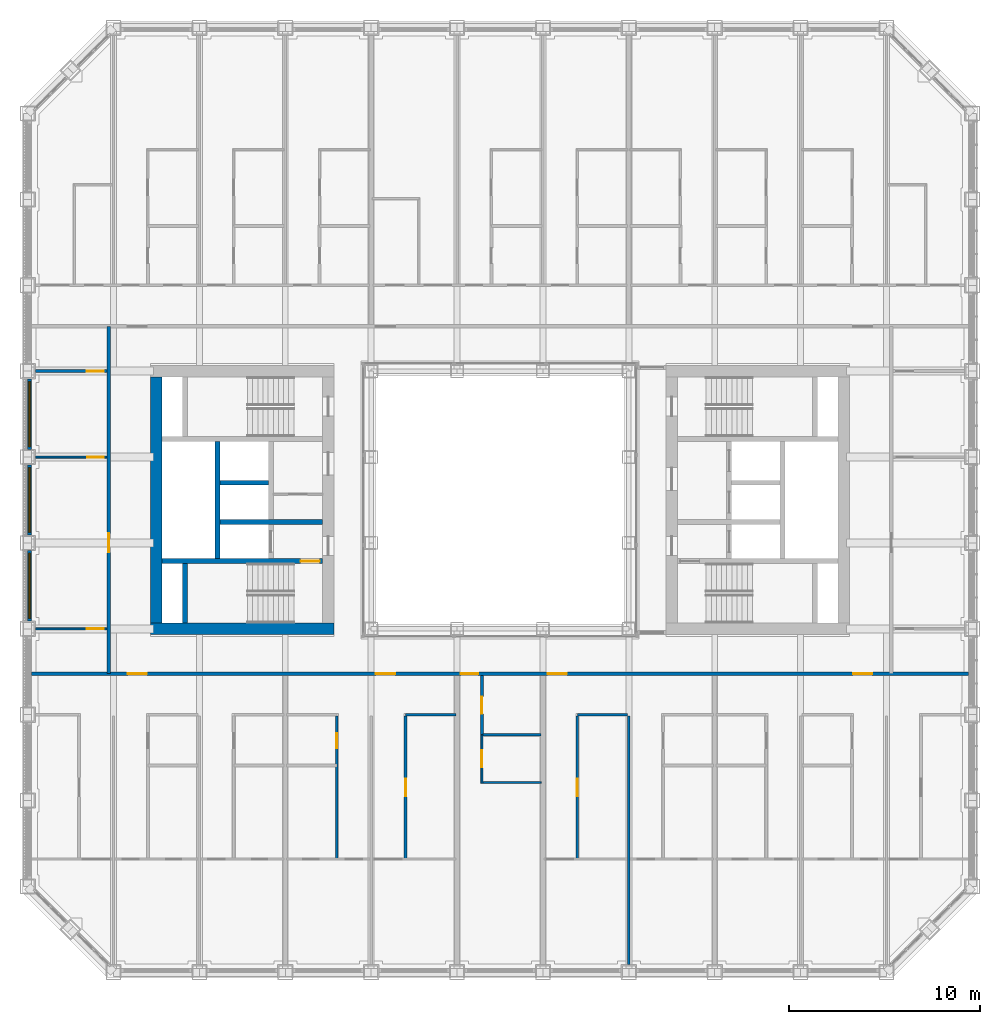
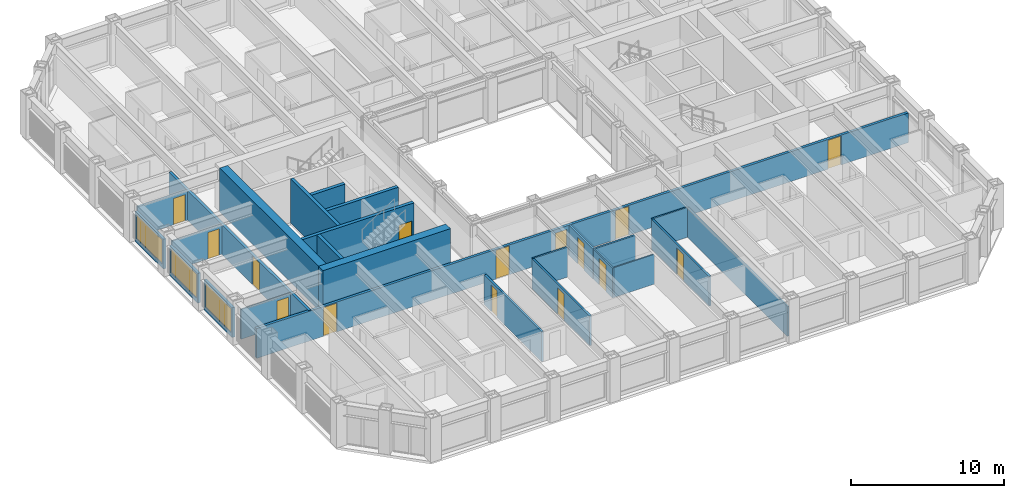
# One storey, part 10 of 21: 25 walls, 15 doors, 3 windows, 18 openings.
"""IFC4 building model written with IfcOpenShell, lengths in metres."""

from ifc_helpers import new_model, si_unit, direction, frame, frame_2d, origin, place, context, subcontext, project, spatial, rectangle, extrude, material, layer, layer_set, type_object, element, fill, save


model = new_model("IFC4")

# Units and contexts
model_context = context("Model", 3, precision=1e-05, world=origin(), true_north=direction((0.0, 1.0)))
body_context = subcontext(model_context, "Body", "Model", "MODEL_VIEW")
ifc_project = project(units=[si_unit("LENGTHUNIT", "METRE"), si_unit("AREAUNIT", "SQUARE_METRE"), si_unit("VOLUMEUNIT", "CUBIC_METRE"), si_unit("PLANEANGLEUNIT", "RADIAN"), si_unit("MASSUNIT", "GRAM", prefix="KILO")], contexts=[model_context])

# Site, building, storey
site_placement = place(None, origin())
site = spatial("IfcSite", under=ifc_project, at=site_placement, CompositionType="ELEMENT")
building_placement = place(site_placement, origin())
building = spatial("IfcBuilding", under=site, at=building_placement, Name="Msasa Ring Tower", CompositionType="ELEMENT")
storey_placement = place(building_placement, frame((0.0, 0.0, 72.0)))
storey = spatial("IfcBuildingStorey", under=building, at=storey_placement, Name="L18", CompositionType="ELEMENT", Elevation=72.0)

# Walls
ifc_material_1 = material(Name="Concrete C60/75", Category="concrete")
ifc_layer_1 = layer(ifc_material_1, 0.60009765625)
ifc_layer_set_1 = layer_set([ifc_layer_1], Name="CW1 CORE WALL 600")
wall_type_1 = type_object("IfcWallType", Name="CW1 CORE WALL 600", PredefinedType="SHEAR", material=ifc_layer_set_1)
wall_1_placement = place(storey_placement, frame((-8.699951171875, -6.75, 0.0), z_axis=(0.0, 0.0, 1.0), x_axis=(-1.0, 0.0, 0.0)))
element("IfcWall", 1, at=wall_1_placement, inside=storey, type_object=wall_type_1, Name="W core wall S L18", PredefinedType="SHEAR", context=body_context, shape_type="SweptSolid", body=[
    extrude(rectangle(XDim=9.60009765625, YDim=0.60009765625, at=frame_2d((4.800048828125, 0.0))), origin(), (0.0, 0.0, 1.0), 3.5),
])
wall_2_placement = place(storey_placement, frame((-18.0, -6.449951171875, 0.0), z_axis=(0.0, 0.0, 1.0), x_axis=(0.0, 1.0, 0.0)))
element("IfcWall", 2, at=wall_2_placement, inside=storey, type_object=wall_type_1, Name="W core wall E L18", PredefinedType="SHEAR", context=body_context, shape_type="SweptSolid", body=[
    extrude(rectangle(XDim=12.89990234375, YDim=0.60009765625, at=frame_2d((6.449951171875, 0.0))), origin(), (0.0, 0.0, 1.0), 3.5),
])

# Wall, opening, door
ifc_material_2 = material(Name="Concrete C60/75", Category="concrete")
ifc_layer_2 = layer(ifc_material_2, 0.25)
ifc_layer_set_2 = layer_set([ifc_layer_2], Name="CW4 CORE INNER WALL 250")
wall_type_2 = type_object("IfcWallType", Name="CW4 CORE INNER WALL 250", PredefinedType="SHEAR", material=ifc_layer_set_2)
wall_3_placement = place(storey_placement, frame((-9.300048828125, -3.199951171875, 0.0), z_axis=(0.0, 0.0, 1.0), x_axis=(-1.0, 0.0, 0.0)))
wall_3 = element("IfcWall", 3, at=wall_3_placement, inside=storey, type_object=wall_type_2, Name="W core wall STAIRA L18", PredefinedType="SHEAR", context=body_context, shape_type="SweptSolid", body=[
    extrude(rectangle(XDim=8.39990234375, YDim=0.25, at=frame_2d((4.199951171875, 0.0))), origin(), (0.0, 0.0, 1.0), 3.5),
])
opening_1_placement = place(wall_3_placement, frame((0.14990234375, 0.0, 0.0)))
opening_1 = element("IfcOpeningElement", 4, at=opening_1_placement, cuts=wall_3, Name="Opening RE-051", PredefinedType="OPENING", context=body_context, shape_type="SweptSolid", body=[
    extrude(rectangle(XDim=1.0, YDim=2.10009765625, at=frame_2d((0.5, 1.050048828125))), frame((0.0, 0.135009765625, 0.0), z_axis=(0.0, -1.0, 0.0), x_axis=(1.0, 0.0, 0.0)), (0.0, 0.0, 1.0), 0.27001953125),
])
ifc_material_3 = material(Name="Timber door leaf in a steel frame", Category="steel")
door_type_1 = type_object("IfcDoorType", Name="D6 STAIR DOOR 1000x2100", OperationType="SINGLE_SWING_LEFT", PredefinedType="DOOR", material=ifc_material_3)
door_1_placement = place(opening_1_placement, origin())
door_1 = element("IfcDoor", 5, at=door_1_placement, inside=storey, type_object=door_type_1, Name="Door L18-WSTA", OperationType="SINGLE_SWING_LEFT", OverallHeight=2.10009765625, OverallWidth=1.0, PredefinedType="DOOR", context=body_context, shape_type="SweptSolid", body=[
    extrude(rectangle(XDim=1.0, YDim=2.10009765625, at=frame_2d((0.5, 1.050048828125))), frame((0.0, 0.02490234375, 0.0), z_axis=(0.0, -1.0, 0.0), x_axis=(1.0, 0.0, 0.0)), (0.0, 0.0, 1.0), 0.050048828125),
])
fill(opening_1, door_1)

# Walls
wall_4_placement = place(storey_placement, frame((-16.5, -6.449951171875, 0.0), z_axis=(0.0, 0.0, 1.0), x_axis=(0.0, 1.0, 0.0)))
element("IfcWall", 6, at=wall_4_placement, inside=storey, type_object=wall_type_2, Name="W core wall RISERA L18", PredefinedType="SHEAR", context=body_context, shape_type="SweptSolid", body=[
    extrude(rectangle(XDim=3.125, YDim=0.25, at=frame_2d((1.5625, 0.0))), origin(), (0.0, 0.0, 1.0), 3.5),
])
wall_5_placement = place(storey_placement, frame((-9.300048828125, -1.14990234375, 0.0), z_axis=(0.0, 0.0, 1.0), x_axis=(-1.0, 0.0, 0.0)))
element("IfcWall", 7, at=wall_5_placement, inside=storey, type_object=wall_type_2, Name="W core wall FFL L18", PredefinedType="SHEAR", context=body_context, shape_type="SweptSolid", body=[
    extrude(rectangle(XDim=5.375, YDim=0.25, at=frame_2d((2.6875, 0.0))), origin(), (0.0, 0.0, 1.0), 3.5),
])
wall_6_placement = place(storey_placement, frame((-14.800048828125, -3.074951171875, 0.0), z_axis=(0.0, 0.0, 1.0), x_axis=(0.0, 1.0, 0.0)))
element("IfcWall", 8, at=wall_6_placement, inside=storey, type_object=wall_type_2, Name="W core wall SHAFT L18", PredefinedType="SHEAR", context=body_context, shape_type="SweptSolid", body=[
    extrude(rectangle(XDim=6.14990234375, YDim=0.25, at=frame_2d((3.074951171875, 0.0))), origin(), (0.0, 0.0, 1.0), 3.5),
])
wall_7_placement = place(storey_placement, frame((-12.125, 0.89990234375, 0.0), z_axis=(0.0, 0.0, 1.0), x_axis=(-1.0, 0.0, 0.0)))
element("IfcWall", 9, at=wall_7_placement, inside=storey, type_object=wall_type_2, Name="W core wall LIFT1 L18", PredefinedType="SHEAR", context=body_context, shape_type="SweptSolid", body=[
    extrude(rectangle(XDim=2.550048828125, YDim=0.25, at=frame_2d((1.27490234375, 0.0))), origin(), (0.0, 0.0, 1.0), 3.5),
])

# Wall, opening, window
ifc_material_4 = material(Name="Terracotta rainscreen on blockwork", Category="masonry")
ifc_layer_3 = layer(ifc_material_4, 0.199951171875)
ifc_layer_set_3 = layer_set([ifc_layer_3], Name="FW1 TERRACOTTA-LINED INFILL BAY WALL 200")
wall_type_3 = type_object("IfcWallType", Name="FW1 TERRACOTTA-LINED INFILL BAY WALL 200", PredefinedType="SOLIDWALL", material=ifc_layer_set_3)
wall_8_placement = place(storey_placement, frame((-24.64990234375, -6.344970703125, 0.0), z_axis=(0.0, 0.0, 1.0), x_axis=(0.0, 1.0, 0.0)))
wall_8 = element("IfcWall", 10, at=wall_8_placement, inside=storey, type_object=wall_type_3, Name="Infill bay wall W L18 36", PredefinedType="SOLIDWALL", context=body_context, shape_type="SweptSolid", body=[
    extrude(rectangle(XDim=3.68994140625, YDim=0.199951171875, at=frame_2d((1.844970703125, 0.0))), origin(), (0.0, 0.0, 1.0), 2.37890625),
])
opening_2_placement = place(wall_8_placement, frame((0.14501953125, 0.0, 0.300048828125)))
opening_2 = element("IfcOpeningElement", 11, at=opening_2_placement, cuts=wall_8, Name="Opening WN1", PredefinedType="OPENING", context=body_context, shape_type="SweptSolid", body=[
    extrude(rectangle(XDim=3.39990234375, YDim=1.928955078125, at=frame_2d((1.699951171875, 0.96435546875))), frame((0.0, 0.10986328125, 0.0), z_axis=(0.0, -1.0, 0.0), x_axis=(1.0, 0.0, 0.0)), (0.0, 0.0, 1.0), 0.219970703125),
])
ifc_material_5 = material(Name="Aluminium frame with clear glass", Category="aluminium")
window_type = type_object("IfcWindowType", Name="WN1 RESIDENCE WINDOW 3400x1929", PartitioningType="SINGLE_PANEL", PredefinedType="WINDOW", material=ifc_material_5)
window_1_placement = place(opening_2_placement, origin())
window_1 = element("IfcWindow", 12, at=window_1_placement, inside=storey, type_object=window_type, Name="Window W L18 36", OverallHeight=1.928955078125, OverallWidth=3.39990234375, PartitioningType="SINGLE_PANEL", PredefinedType="WINDOW", context=body_context, shape_type="SweptSolid", body=[
    extrude(rectangle(XDim=3.39990234375, YDim=1.928955078125, at=frame_2d((1.699951171875, 0.96435546875))), frame((0.0, 0.030029296875, 0.0), z_axis=(0.0, -1.0, 0.0), x_axis=(1.0, 0.0, 0.0)), (0.0, 0.0, 1.0), 0.06005859375),
])
fill(opening_2, window_1)

wall_9_placement = place(storey_placement, frame((-24.64990234375, -1.844970703125, 0.0), z_axis=(0.0, 0.0, 1.0), x_axis=(0.0, 1.0, 0.0)))
wall_9 = element("IfcWall", 13, at=wall_9_placement, inside=storey, type_object=wall_type_3, Name="Infill bay wall W L18 37", PredefinedType="SOLIDWALL", context=body_context, shape_type="SweptSolid", body=[
    extrude(rectangle(XDim=3.68994140625, YDim=0.199951171875, at=frame_2d((1.844970703125, 0.0))), origin(), (0.0, 0.0, 1.0), 2.37890625),
])
opening_3_placement = place(wall_9_placement, frame((0.14501953125, 0.0, 0.300048828125)))
opening_3 = element("IfcOpeningElement", 14, at=opening_3_placement, cuts=wall_9, Name="Opening WN1", PredefinedType="OPENING", context=body_context, shape_type="SweptSolid", body=[
    extrude(rectangle(XDim=3.39990234375, YDim=1.928955078125, at=frame_2d((1.699951171875, 0.96435546875))), frame((0.0, 0.10986328125, 0.0), z_axis=(0.0, -1.0, 0.0), x_axis=(1.0, 0.0, 0.0)), (0.0, 0.0, 1.0), 0.219970703125),
])
window_2_placement = place(opening_3_placement, origin())
window_2 = element("IfcWindow", 15, at=window_2_placement, inside=storey, type_object=window_type, Name="Window W L18 37", OverallHeight=1.928955078125, OverallWidth=3.39990234375, PartitioningType="SINGLE_PANEL", PredefinedType="WINDOW", context=body_context, shape_type="SweptSolid", body=[
    extrude(rectangle(XDim=3.39990234375, YDim=1.928955078125, at=frame_2d((1.699951171875, 0.96435546875))), frame((0.0, 0.030029296875, 0.0), z_axis=(0.0, -1.0, 0.0), x_axis=(1.0, 0.0, 0.0)), (0.0, 0.0, 1.0), 0.06005859375),
])
fill(opening_3, window_2)

wall_10_placement = place(storey_placement, frame((-24.64990234375, 2.655029296875, 0.0), z_axis=(0.0, 0.0, 1.0), x_axis=(0.0, 1.0, 0.0)))
wall_10 = element("IfcWall", 16, at=wall_10_placement, inside=storey, type_object=wall_type_3, Name="Infill bay wall W L18 38", PredefinedType="SOLIDWALL", context=body_context, shape_type="SweptSolid", body=[
    extrude(rectangle(XDim=3.68994140625, YDim=0.199951171875, at=frame_2d((1.844970703125, 0.0))), origin(), (0.0, 0.0, 1.0), 2.37890625),
])
opening_4_placement = place(wall_10_placement, frame((0.14501953125, 0.0, 0.300048828125)))
opening_4 = element("IfcOpeningElement", 17, at=opening_4_placement, cuts=wall_10, Name="Opening WN1", PredefinedType="OPENING", context=body_context, shape_type="SweptSolid", body=[
    extrude(rectangle(XDim=3.39990234375, YDim=1.928955078125, at=frame_2d((1.699951171875, 0.96435546875))), frame((0.0, 0.10986328125, 0.0), z_axis=(0.0, -1.0, 0.0), x_axis=(1.0, 0.0, 0.0)), (0.0, 0.0, 1.0), 0.219970703125),
])
window_3_placement = place(opening_4_placement, origin())
window_3 = element("IfcWindow", 18, at=window_3_placement, inside=storey, type_object=window_type, Name="Window W L18 38", OverallHeight=1.928955078125, OverallWidth=3.39990234375, PartitioningType="SINGLE_PANEL", PredefinedType="WINDOW", context=body_context, shape_type="SweptSolid", body=[
    extrude(rectangle(XDim=3.39990234375, YDim=1.928955078125, at=frame_2d((1.699951171875, 0.96435546875))), frame((0.0, 0.030029296875, 0.0), z_axis=(0.0, -1.0, 0.0), x_axis=(1.0, 0.0, 0.0)), (0.0, 0.0, 1.0), 0.06005859375),
])
fill(opening_4, window_3)

# Wall, openings, doors
ifc_material_6 = material(Name="Concrete blockwork", Category="masonry")
ifc_layer_4 = layer(ifc_material_6, 0.199951171875)
ifc_layer_set_4 = layer_set([ifc_layer_4], Name="PT1 CORRIDOR WALL 200")
wall_type_4 = type_object("IfcWallType", Name="PT1 CORRIDOR WALL 200", PredefinedType="PARTITIONING", material=ifc_layer_set_4)
wall_11_placement = place(storey_placement, frame((-24.550048828125, -9.10009765625, 0.0), z_axis=(0.0, 0.0, 1.0), x_axis=(1.0, 0.0, 0.0)))
wall_11 = element("IfcWall", 19, at=wall_11_placement, inside=storey, type_object=wall_type_4, Name="Corridor wall L18-CORRS0", PredefinedType="PARTITIONING", context=body_context, shape_type="SweptSolid", body=[
    extrude(rectangle(XDim=49.10009765625, YDim=0.199951171875, at=frame_2d((24.550048828125, 0.0))), origin(), (0.0, 0.0, 1.0), 2.373291015625),
])
opening_5_placement = place(wall_11_placement, frame((5.050048828125, 0.0, 0.0)))
opening_5 = element("IfcOpeningElement", 20, at=opening_5_placement, cuts=wall_11, Name="Opening RE-056", PredefinedType="OPENING", context=body_context, shape_type="SweptSolid", body=[
    extrude(rectangle(XDim=1.0, YDim=2.300048828125, at=frame_2d((0.5, 1.14990234375))), frame((0.0, 0.10986328125, 0.0), z_axis=(0.0, -1.0, 0.0), x_axis=(1.0, 0.0, 0.0)), (0.0, 0.0, 1.0), 0.219970703125),
])
opening_6_placement = place(wall_11_placement, frame((18.050048828125, 0.0, 0.0)))
opening_6 = element("IfcOpeningElement", 21, at=opening_6_placement, cuts=wall_11, Name="Opening RE-057", PredefinedType="OPENING", context=body_context, shape_type="SweptSolid", body=[
    extrude(rectangle(XDim=1.0, YDim=2.300048828125, at=frame_2d((0.5, 1.14990234375))), frame((0.0, 0.10986328125, 0.0), z_axis=(0.0, -1.0, 0.0), x_axis=(1.0, 0.0, 0.0)), (0.0, 0.0, 1.0), 0.219970703125),
])
opening_7_placement = place(wall_11_placement, frame((22.5, 0.0, 0.0)))
opening_7 = element("IfcOpeningElement", 22, at=opening_7_placement, cuts=wall_11, Name="Opening RE-058", PredefinedType="OPENING", context=body_context, shape_type="SweptSolid", body=[
    extrude(rectangle(XDim=0.89990234375, YDim=2.10009765625, at=frame_2d((0.449951171875, 1.050048828125))), frame((0.0, 0.10986328125, 0.0), z_axis=(0.0, -1.0, 0.0), x_axis=(1.0, 0.0, 0.0)), (0.0, 0.0, 1.0), 0.219970703125),
])
opening_8_placement = place(wall_11_placement, frame((27.050048828125, 0.0, 0.0)))
opening_8 = element("IfcOpeningElement", 23, at=opening_8_placement, cuts=wall_11, Name="Opening RE-059", PredefinedType="OPENING", context=body_context, shape_type="SweptSolid", body=[
    extrude(rectangle(XDim=1.0, YDim=2.300048828125, at=frame_2d((0.5, 1.14990234375))), frame((0.0, 0.10986328125, 0.0), z_axis=(0.0, -1.0, 0.0), x_axis=(1.0, 0.0, 0.0)), (0.0, 0.0, 1.0), 0.219970703125),
])
opening_9_placement = place(wall_11_placement, frame((43.050048828125, 0.0, 0.0)))
opening_9 = element("IfcOpeningElement", 24, at=opening_9_placement, cuts=wall_11, Name="Opening RE-060", PredefinedType="OPENING", context=body_context, shape_type="SweptSolid", body=[
    extrude(rectangle(XDim=1.0, YDim=2.300048828125, at=frame_2d((0.5, 1.14990234375))), frame((0.0, 0.10986328125, 0.0), z_axis=(0.0, -1.0, 0.0), x_axis=(1.0, 0.0, 0.0)), (0.0, 0.0, 1.0), 0.219970703125),
])
ifc_material_7 = material(Name="Timber door leaf in a steel frame", Category="steel")
door_type_2 = type_object("IfcDoorType", Name="D16 UPPER RESIDENCE ENTRANCE DOOR 1000x2300", OperationType="SINGLE_SWING_LEFT", PredefinedType="DOOR", material=ifc_material_7)
door_2_placement = place(opening_5_placement, origin())
door_2 = element("IfcDoor", 25, at=door_2_placement, inside=storey, type_object=door_type_2, Name="Door L18-US00", OperationType="SINGLE_SWING_LEFT", OverallHeight=2.300048828125, OverallWidth=1.0, PredefinedType="DOOR", context=body_context, shape_type="SweptSolid", body=[
    extrude(rectangle(XDim=1.0, YDim=2.300048828125, at=frame_2d((0.5, 1.14990234375))), frame((0.0, 0.02490234375, 0.0), z_axis=(0.0, -1.0, 0.0), x_axis=(1.0, 0.0, 0.0)), (0.0, 0.0, 1.0), 0.050048828125),
])
fill(opening_5, door_2)
door_3_placement = place(opening_6_placement, origin())
door_3 = element("IfcDoor", 26, at=door_3_placement, inside=storey, type_object=door_type_2, Name="Door L18-US01", OperationType="SINGLE_SWING_LEFT", OverallHeight=2.300048828125, OverallWidth=1.0, PredefinedType="DOOR", context=body_context, shape_type="SweptSolid", body=[
    extrude(rectangle(XDim=1.0, YDim=2.300048828125, at=frame_2d((0.5, 1.14990234375))), frame((0.0, 0.02490234375, 0.0), z_axis=(0.0, -1.0, 0.0), x_axis=(1.0, 0.0, 0.0)), (0.0, 0.0, 1.0), 0.050048828125),
])
fill(opening_6, door_3)
door_4_placement = place(opening_8_placement, origin())
door_4 = element("IfcDoor", 27, at=door_4_placement, inside=storey, type_object=door_type_2, Name="Door L18-US03", OperationType="SINGLE_SWING_RIGHT", OverallHeight=2.300048828125, OverallWidth=1.0, PredefinedType="DOOR", context=body_context, shape_type="SweptSolid", body=[
    extrude(rectangle(XDim=1.0, YDim=2.300048828125, at=frame_2d((0.5, 1.14990234375))), frame((0.0, 0.02490234375, 0.0), z_axis=(0.0, -1.0, 0.0), x_axis=(1.0, 0.0, 0.0)), (0.0, 0.0, 1.0), 0.050048828125),
])
fill(opening_8, door_4)
door_5_placement = place(opening_9_placement, origin())
door_5 = element("IfcDoor", 28, at=door_5_placement, inside=storey, type_object=door_type_2, Name="Door L18-US04", OperationType="SINGLE_SWING_RIGHT", OverallHeight=2.300048828125, OverallWidth=1.0, PredefinedType="DOOR", context=body_context, shape_type="SweptSolid", body=[
    extrude(rectangle(XDim=1.0, YDim=2.300048828125, at=frame_2d((0.5, 1.14990234375))), frame((0.0, 0.02490234375, 0.0), z_axis=(0.0, -1.0, 0.0), x_axis=(1.0, 0.0, 0.0)), (0.0, 0.0, 1.0), 0.050048828125),
])
fill(opening_9, door_5)
ifc_material_8 = material(Name="Timber door leaf in a steel frame", Category="steel")
door_type_3 = type_object("IfcDoorType", Name="D2 ENTRANCE DOOR 900x2100", OperationType="SINGLE_SWING_LEFT", PredefinedType="DOOR", material=ifc_material_8)
door_6_placement = place(opening_7_placement, origin())
door_6 = element("IfcDoor", 29, at=door_6_placement, inside=storey, type_object=door_type_3, Name="Door L18-US02", OperationType="SINGLE_SWING_LEFT", OverallHeight=2.10009765625, OverallWidth=0.89990234375, PredefinedType="DOOR", context=body_context, shape_type="SweptSolid", body=[
    extrude(rectangle(XDim=0.89990234375, YDim=2.10009765625, at=frame_2d((0.449951171875, 1.050048828125))), frame((0.0, 0.02490234375, 0.0), z_axis=(0.0, -1.0, 0.0), x_axis=(1.0, 0.0, 0.0)), (0.0, 0.0, 1.0), 0.050048828125),
])
fill(opening_7, door_6)

# Wall, opening, door
wall_12_placement = place(storey_placement, frame((-20.5, -9.10009765625, 0.0), z_axis=(0.0, 0.0, 1.0), x_axis=(0.0, 1.0, 0.0)))
wall_12 = element("IfcWall", 30, at=wall_12_placement, inside=storey, type_object=wall_type_4, Name="Corridor wall L18-STRW", PredefinedType="PARTITIONING", context=body_context, shape_type="SweptSolid", body=[
    extrude(rectangle(XDim=18.2001953125, YDim=0.199951171875, at=frame_2d((9.10009765625, 0.0))), origin(), (0.0, 0.0, 1.0), 2.373291015625),
])
opening_10_placement = place(wall_12_placement, frame((6.35009765625, 0.0, 0.0)))
opening_10 = element("IfcOpeningElement", 31, at=opening_10_placement, cuts=wall_12, Name="Opening RE-047", PredefinedType="OPENING", context=body_context, shape_type="SweptSolid", body=[
    extrude(rectangle(XDim=1.0, YDim=2.300048828125, at=frame_2d((0.5, 1.14990234375))), frame((0.0, 0.10986328125, 0.0), z_axis=(0.0, -1.0, 0.0), x_axis=(1.0, 0.0, 0.0)), (0.0, 0.0, 1.0), 0.219970703125),
])
door_7_placement = place(opening_10_placement, origin())
door_7 = element("IfcDoor", 32, at=door_7_placement, inside=storey, type_object=door_type_2, Name="Door L18-STW", OperationType="SINGLE_SWING_LEFT", OverallHeight=2.300048828125, OverallWidth=1.0, PredefinedType="DOOR", context=body_context, shape_type="SweptSolid", body=[
    extrude(rectangle(XDim=1.0, YDim=2.300048828125, at=frame_2d((0.5, 1.14990234375))), frame((0.0, 0.02490234375, 0.0), z_axis=(0.0, -1.0, 0.0), x_axis=(1.0, 0.0, 0.0)), (0.0, 0.0, 1.0), 0.050048828125),
])
fill(opening_10, door_7)

# Wall
ifc_material_9 = material(Name="Gypsum board on steel studs", Category="steel")
ifc_layer_5 = layer(ifc_material_9, 0.10009765625)
ifc_layer_set_5 = layer_set([ifc_layer_5], Name="PT2 STUD PARTITION 100")
wall_type_5 = type_object("IfcWallType", Name="PT2 STUD PARTITION 100", PredefinedType="PARTITIONING", material=ifc_layer_set_5)
wall_13_placement = place(storey_placement, frame((-0.89990234375, -14.800048828125, 0.0), z_axis=(0.0, 0.0, 1.0), x_axis=(1.0, 0.0, 0.0)))
element("IfcWall", 33, at=wall_13_placement, inside=storey, type_object=wall_type_5, Name="Partition L18-US02KY", PredefinedType="PARTITIONING", context=body_context, shape_type="SweptSolid", body=[
    extrude(rectangle(XDim=3.0498046875, YDim=0.10009765625, at=frame_2d((1.52490234375, 0.0))), origin(), (0.0, 0.0, 1.0), 2.373291015625),
])

# Wall, opening, door
wall_14_placement = place(storey_placement, frame((-0.949951171875, -14.85009765625, 0.0), z_axis=(0.0, 0.0, 1.0), x_axis=(0.0, 1.0, 0.0)))
wall_14 = element("IfcWall", 34, at=wall_14_placement, inside=storey, type_object=wall_type_5, Name="Partition L18-US02KX", PredefinedType="PARTITIONING", context=body_context, shape_type="SweptSolid", body=[
    extrude(rectangle(XDim=2.550048828125, YDim=0.10009765625, at=frame_2d((1.27490234375, 0.0))), origin(), (0.0, 0.0, 1.0), 2.373291015625),
])
opening_11_placement = place(wall_14_placement, frame((0.840087890625, 0.0, 0.0)))
opening_11 = element("IfcOpeningElement", 35, at=opening_11_placement, cuts=wall_14, Name="Opening RE-068", PredefinedType="OPENING", context=body_context, shape_type="SweptSolid", body=[
    extrude(rectangle(XDim=0.89990234375, YDim=2.10009765625, at=frame_2d((0.449951171875, 1.050048828125))), frame((0.0, 0.06005859375, 0.0), z_axis=(0.0, -1.0, 0.0), x_axis=(1.0, 0.0, 0.0)), (0.0, 0.0, 1.0), 0.1201171875),
])
ifc_material_10 = material(Name="Timber door leaf in a steel frame", Category="steel")
door_type_4 = type_object("IfcDoorType", Name="D22 INTERNAL HALL DOOR 900x2100", OperationType="SINGLE_SWING_LEFT", PredefinedType="DOOR", material=ifc_material_10)
door_8_placement = place(opening_11_placement, origin())
door_8 = element("IfcDoor", 36, at=door_8_placement, inside=storey, type_object=door_type_4, Name="Door L18-US02K", OperationType="SINGLE_SWING_LEFT", OverallHeight=2.10009765625, OverallWidth=0.89990234375, PredefinedType="DOOR", context=body_context, shape_type="SweptSolid", body=[
    extrude(rectangle(XDim=0.89990234375, YDim=2.10009765625, at=frame_2d((0.449951171875, 1.050048828125))), frame((0.0, 0.02490234375, 0.0), z_axis=(0.0, -1.0, 0.0), x_axis=(1.0, 0.0, 0.0)), (0.0, 0.0, 1.0), 0.050048828125),
])
fill(opening_11, door_8)

wall_15_placement = place(storey_placement, frame((-24.35009765625, -6.75, 0.0), z_axis=(0.0, 0.0, 1.0), x_axis=(1.0, 0.0, 0.0)))
wall_15 = element("IfcWall", 37, at=wall_15_placement, inside=storey, type_object=wall_type_5, Name="Partition L18-STWKY", PredefinedType="PARTITIONING", context=body_context, shape_type="SweptSolid", body=[
    extrude(rectangle(XDim=3.75, YDim=0.10009765625, at=frame_2d((1.875, 0.0))), origin(), (0.0, 0.0, 1.0), 2.373291015625),
])
opening_12_placement = place(wall_15_placement, frame((2.699951171875, 0.0, 0.0)))
opening_12 = element("IfcOpeningElement", 38, at=opening_12_placement, cuts=wall_15, Name="Opening RE-053", PredefinedType="OPENING", context=body_context, shape_type="SweptSolid", body=[
    extrude(rectangle(XDim=0.89990234375, YDim=2.10009765625, at=frame_2d((0.449951171875, 1.050048828125))), frame((0.0, 0.06005859375, 0.0), z_axis=(0.0, -1.0, 0.0), x_axis=(1.0, 0.0, 0.0)), (0.0, 0.0, 1.0), 0.1201171875),
])
door_9_placement = place(opening_12_placement, origin())
door_9 = element("IfcDoor", 39, at=door_9_placement, inside=storey, type_object=door_type_4, Name="Door L18-STWK", OperationType="SINGLE_SWING_RIGHT", OverallHeight=2.10009765625, OverallWidth=0.89990234375, PredefinedType="DOOR", context=body_context, shape_type="SweptSolid", body=[
    extrude(rectangle(XDim=0.89990234375, YDim=2.10009765625, at=frame_2d((0.449951171875, 1.050048828125))), frame((0.0, 0.02490234375, 0.0), z_axis=(0.0, -1.0, 0.0), x_axis=(1.0, 0.0, 0.0)), (0.0, 0.0, 1.0), 0.050048828125),
])
fill(opening_12, door_9)

wall_16_placement = place(storey_placement, frame((-24.35009765625, 2.25, 0.0), z_axis=(0.0, 0.0, 1.0), x_axis=(1.0, 0.0, 0.0)))
wall_16 = element("IfcWall", 40, at=wall_16_placement, inside=storey, type_object=wall_type_5, Name="Partition L18-STWRY", PredefinedType="PARTITIONING", context=body_context, shape_type="SweptSolid", body=[
    extrude(rectangle(XDim=3.75, YDim=0.10009765625, at=frame_2d((1.875, 0.0))), origin(), (0.0, 0.0, 1.0), 2.373291015625),
])
opening_13_placement = place(wall_16_placement, frame((2.72509765625, 0.0, 0.0)))
opening_13 = element("IfcOpeningElement", 41, at=opening_13_placement, cuts=wall_16, Name="Opening RE-042", PredefinedType="OPENING", context=body_context, shape_type="SweptSolid", body=[
    extrude(rectangle(XDim=0.85009765625, YDim=2.10009765625, at=frame_2d((0.425048828125, 1.050048828125))), frame((0.0, 0.06005859375, 0.0), z_axis=(0.0, -1.0, 0.0), x_axis=(1.0, 0.0, 0.0)), (0.0, 0.0, 1.0), 0.1201171875),
])
ifc_material_11 = material(Name="Timber door leaf in a steel frame", Category="steel")
door_type_5 = type_object("IfcDoorType", Name="D14 BEDROOM DOOR 850x2100", OperationType="SINGLE_SWING_LEFT", PredefinedType="DOOR", material=ifc_material_11)
door_10_placement = place(opening_13_placement, origin())
door_10 = element("IfcDoor", 42, at=door_10_placement, inside=storey, type_object=door_type_5, Name="Door L18-STWR", OperationType="SINGLE_SWING_RIGHT", OverallHeight=2.10009765625, OverallWidth=0.85009765625, PredefinedType="DOOR", context=body_context, shape_type="SweptSolid", body=[
    extrude(rectangle(XDim=0.85009765625, YDim=2.10009765625, at=frame_2d((0.425048828125, 1.050048828125))), frame((0.0, 0.02490234375, 0.0), z_axis=(0.0, -1.0, 0.0), x_axis=(1.0, 0.0, 0.0)), (0.0, 0.0, 1.0), 0.050048828125),
])
fill(opening_13, door_10)

ifc_material_12 = material(Name="Moisture-resistant board on steel studs with a concealed cistern and pipe void, tiled", Category="steel")
ifc_layer_6 = layer(ifc_material_12, 0.14990234375)
ifc_layer_set_6 = layer_set([ifc_layer_6], Name="PT4 BATHROOM WET WALL 150")
wall_type_6 = type_object("IfcWallType", Name="PT4 BATHROOM WET WALL 150", PredefinedType="PARTITIONING", material=ifc_layer_set_6)
wall_17_placement = place(storey_placement, frame((-4.949951171875, -18.8125, 0.0), z_axis=(0.0, 0.0, 1.0), x_axis=(0.0, 1.0, 0.0)))
wall_17 = element("IfcWall", 43, at=wall_17_placement, inside=storey, type_object=wall_type_6, Name="Partition L18-US01SX0", PredefinedType="PARTITIONING", context=body_context, shape_type="SweptSolid", body=[
    extrude(rectangle(XDim=7.5, YDim=0.14990234375, at=frame_2d((3.75, 0.0))), origin(), (0.0, 0.0, 1.0), 2.373291015625),
])
opening_14_placement = place(wall_17_placement, frame((3.300048828125, 0.0, 0.0)))
opening_14 = element("IfcOpeningElement", 44, at=opening_14_placement, cuts=wall_17, Name="Opening RE-070", PredefinedType="OPENING", context=body_context, shape_type="SweptSolid", body=[
    extrude(rectangle(XDim=0.89990234375, YDim=2.10009765625, at=frame_2d((0.449951171875, 1.050048828125))), frame((0.0, 0.0849609375, 0.0), z_axis=(0.0, -1.0, 0.0), x_axis=(1.0, 0.0, 0.0)), (0.0, 0.0, 1.0), 0.169921875),
])
door_11_placement = place(opening_14_placement, origin())
door_11 = element("IfcDoor", 45, at=door_11_placement, inside=storey, type_object=door_type_4, Name="Door L18-US01K", OperationType="SINGLE_SWING_LEFT", OverallHeight=2.10009765625, OverallWidth=0.89990234375, PredefinedType="DOOR", context=body_context, shape_type="SweptSolid", body=[
    extrude(rectangle(XDim=0.89990234375, YDim=2.10009765625, at=frame_2d((0.449951171875, 1.050048828125))), frame((0.0, 0.02490234375, 0.0), z_axis=(0.0, -1.0, 0.0), x_axis=(1.0, 0.0, 0.0)), (0.0, 0.0, 1.0), 0.050048828125),
])
fill(opening_14, door_11)

wall_18_placement = place(storey_placement, frame((-8.550048828125, -18.8125, 0.0), z_axis=(0.0, 0.0, 1.0), x_axis=(0.0, 1.0, 0.0)))
wall_18 = element("IfcWall", 46, at=wall_18_placement, inside=storey, type_object=wall_type_6, Name="Partition L18-US01SX1", PredefinedType="PARTITIONING", context=body_context, shape_type="SweptSolid", body=[
    extrude(rectangle(XDim=7.5, YDim=0.14990234375, at=frame_2d((3.75, 0.0))), origin(), (0.0, 0.0, 1.0), 2.373291015625),
])
opening_15_placement = place(wall_18_placement, frame((5.800048828125, 0.0, 0.0)))
opening_15 = element("IfcOpeningElement", 47, at=opening_15_placement, cuts=wall_18, Name="Opening RE-064", PredefinedType="OPENING", context=body_context, shape_type="SweptSolid", body=[
    extrude(rectangle(XDim=0.800048828125, YDim=2.10009765625, at=frame_2d((0.39990234375, 1.050048828125))), frame((0.0, 0.0849609375, 0.0), z_axis=(0.0, -1.0, 0.0), x_axis=(1.0, 0.0, 0.0)), (0.0, 0.0, 1.0), 0.169921875),
])
ifc_material_13 = material(Name="Timber door leaf in a steel frame", Category="steel")
door_type_6 = type_object("IfcDoorType", Name="D21 POCKET SLIDING BATHROOM DOOR 800x2100", OperationType="SINGLE_SWING_LEFT", PredefinedType="DOOR", material=ifc_material_13)
door_12_placement = place(opening_15_placement, origin())
door_12 = element("IfcDoor", 48, at=door_12_placement, inside=storey, type_object=door_type_6, Name="Door L18-US01B1", OperationType="SINGLE_SWING_RIGHT", OverallHeight=2.10009765625, OverallWidth=0.800048828125, PredefinedType="DOOR", context=body_context, shape_type="SweptSolid", body=[
    extrude(rectangle(XDim=0.800048828125, YDim=2.10009765625, at=frame_2d((0.39990234375, 1.050048828125))), frame((0.0, 0.02490234375, 0.0), z_axis=(0.0, -1.0, 0.0), x_axis=(1.0, 0.0, 0.0)), (0.0, 0.0, 1.0), 0.050048828125),
])
fill(opening_15, door_12)

wall_19_placement = place(storey_placement, frame((-0.949951171875, -12.35009765625, 0.0), z_axis=(0.0, 0.0, 1.0), x_axis=(0.0, 1.0, 0.0)))
wall_19 = element("IfcWall", 49, at=wall_19_placement, inside=storey, type_object=wall_type_6, Name="Partition L18-US02BX", PredefinedType="PARTITIONING", context=body_context, shape_type="SweptSolid", body=[
    extrude(rectangle(XDim=3.150146484375, YDim=0.14990234375, at=frame_2d((1.5751953125, 0.0))), origin(), (0.0, 0.0, 1.0), 2.373291015625),
])
opening_16_placement = place(wall_19_placement, frame((1.14990234375, 0.0, 0.0)))
opening_16 = element("IfcOpeningElement", 50, at=opening_16_placement, cuts=wall_19, Name="Opening RE-061", PredefinedType="OPENING", context=body_context, shape_type="SweptSolid", body=[
    extrude(rectangle(XDim=0.89990234375, YDim=2.10009765625, at=frame_2d((0.449951171875, 1.050048828125))), frame((0.0, 0.0849609375, 0.0), z_axis=(0.0, -1.0, 0.0), x_axis=(1.0, 0.0, 0.0)), (0.0, 0.0, 1.0), 0.169921875),
])
ifc_material_14 = material(Name="Timber door leaf in a steel frame", Category="steel")
door_type_7 = type_object("IfcDoorType", Name="D3 BATHROOM DOOR 900x2100", OperationType="SINGLE_SWING_LEFT", PredefinedType="DOOR", material=ifc_material_14)
door_13_placement = place(opening_16_placement, origin())
door_13 = element("IfcDoor", 51, at=door_13_placement, inside=storey, type_object=door_type_7, Name="Door L18-US02B", OperationType="SINGLE_SWING_LEFT", OverallHeight=2.10009765625, OverallWidth=0.89990234375, PredefinedType="DOOR", context=body_context, shape_type="SweptSolid", body=[
    extrude(rectangle(XDim=0.89990234375, YDim=2.10009765625, at=frame_2d((0.449951171875, 1.050048828125))), frame((0.0, 0.02490234375, 0.0), z_axis=(0.0, -1.0, 0.0), x_axis=(1.0, 0.0, 0.0)), (0.0, 0.0, 1.0), 0.050048828125),
])
fill(opening_16, door_13)

# Wall
wall_20_placement = place(storey_placement, frame((-0.89990234375, -12.300048828125, 0.0), z_axis=(0.0, 0.0, 1.0), x_axis=(1.0, 0.0, 0.0)))
element("IfcWall", 52, at=wall_20_placement, inside=storey, type_object=wall_type_6, Name="Partition L18-US02BY", PredefinedType="PARTITIONING", context=body_context, shape_type="SweptSolid", body=[
    extrude(rectangle(XDim=3.0498046875, YDim=0.14990234375, at=frame_2d((1.52490234375, 0.0))), origin(), (0.0, 0.0, 1.0), 2.373291015625),
])

# Wall, opening, door
wall_21_placement = place(storey_placement, frame((4.050048828125, -18.8125, 0.0), z_axis=(0.0, 0.0, 1.0), x_axis=(0.0, 1.0, 0.0)))
wall_21 = element("IfcWall", 53, at=wall_21_placement, inside=storey, type_object=wall_type_6, Name="Partition L18-US03SX0", PredefinedType="PARTITIONING", context=body_context, shape_type="SweptSolid", body=[
    extrude(rectangle(XDim=7.5, YDim=0.14990234375, at=frame_2d((3.75, 0.0))), origin(), (0.0, 0.0, 1.0), 2.373291015625),
])
opening_17_placement = place(wall_21_placement, frame((3.300048828125, 0.0, 0.0)))
opening_17 = element("IfcOpeningElement", 54, at=opening_17_placement, cuts=wall_21, Name="Opening RE-071", PredefinedType="OPENING", context=body_context, shape_type="SweptSolid", body=[
    extrude(rectangle(XDim=0.89990234375, YDim=2.10009765625, at=frame_2d((0.449951171875, 1.050048828125))), frame((0.0, 0.0849609375, 0.0), z_axis=(0.0, -1.0, 0.0), x_axis=(1.0, 0.0, 0.0)), (0.0, 0.0, 1.0), 0.169921875),
])
door_14_placement = place(opening_17_placement, origin())
door_14 = element("IfcDoor", 55, at=door_14_placement, inside=storey, type_object=door_type_4, Name="Door L18-US03K", OperationType="SINGLE_SWING_LEFT", OverallHeight=2.10009765625, OverallWidth=0.89990234375, PredefinedType="DOOR", context=body_context, shape_type="SweptSolid", body=[
    extrude(rectangle(XDim=0.89990234375, YDim=2.10009765625, at=frame_2d((0.449951171875, 1.050048828125))), frame((0.0, 0.02490234375, 0.0), z_axis=(0.0, -1.0, 0.0), x_axis=(1.0, 0.0, 0.0)), (0.0, 0.0, 1.0), 0.050048828125),
])
fill(opening_17, door_14)

wall_22_placement = place(storey_placement, frame((-24.35009765625, 6.75, 0.0), z_axis=(0.0, 0.0, 1.0), x_axis=(1.0, 0.0, 0.0)))
wall_22 = element("IfcWall", 56, at=wall_22_placement, inside=storey, type_object=wall_type_6, Name="Partition L18-STWBY", PredefinedType="PARTITIONING", context=body_context, shape_type="SweptSolid", body=[
    extrude(rectangle(XDim=3.75, YDim=0.14990234375, at=frame_2d((1.875, 0.0))), origin(), (0.0, 0.0, 1.0), 2.373291015625),
])
opening_18_placement = place(wall_22_placement, frame((2.699951171875, 0.0, 0.0)))
opening_18 = element("IfcOpeningElement", 57, at=opening_18_placement, cuts=wall_22, Name="Opening RE-038", PredefinedType="OPENING", context=body_context, shape_type="SweptSolid", body=[
    extrude(rectangle(XDim=0.89990234375, YDim=2.10009765625, at=frame_2d((0.449951171875, 1.050048828125))), frame((0.0, 0.0849609375, 0.0), z_axis=(0.0, -1.0, 0.0), x_axis=(1.0, 0.0, 0.0)), (0.0, 0.0, 1.0), 0.169921875),
])
door_15_placement = place(opening_18_placement, origin())
door_15 = element("IfcDoor", 58, at=door_15_placement, inside=storey, type_object=door_type_7, Name="Door L18-STWB", OperationType="SINGLE_SWING_RIGHT", OverallHeight=2.10009765625, OverallWidth=0.89990234375, PredefinedType="DOOR", context=body_context, shape_type="SweptSolid", body=[
    extrude(rectangle(XDim=0.89990234375, YDim=2.10009765625, at=frame_2d((0.449951171875, 1.050048828125))), frame((0.0, 0.02490234375, 0.0), z_axis=(0.0, -1.0, 0.0), x_axis=(1.0, 0.0, 0.0)), (0.0, 0.0, 1.0), 0.050048828125),
])
fill(opening_18, door_15)

# Walls
ifc_material_15 = material(Name="Two layers of acoustic board each face on steel studs, mineral wool", Category="steel")
ifc_layer_7 = layer(ifc_material_15, 0.125)
ifc_layer_set_7 = layer_set([ifc_layer_7], Name="PT6 ACOUSTIC DOUBLE-BOARD PARTITION 125")
wall_type_7 = type_object("IfcWallType", Name="PT6 ACOUSTIC DOUBLE-BOARD PARTITION 125", PredefinedType="PARTITIONING", material=ifc_layer_set_7)
for number, where, z_axis, x_axis, name in (
    (59, (-4.949951171875, -11.25, 0.0), (0.0, 0.0, 1.0), (1.0, 0.0, 0.0), "Partition L18-US01HY0"),
    (60, (4.050048828125, -11.25, 0.0), (0.0, 0.0, 1.0), (1.0, 0.0, 0.0), "Partition L18-US03HY0"),
):
    element("IfcWall", number, at=place(storey_placement, frame(where, z_axis=z_axis, x_axis=x_axis)), inside=storey, type_object=wall_type_7, Name=name, PredefinedType="PARTITIONING", context=body_context, shape_type="SweptSolid", body=[
        extrude(rectangle(XDim=2.632568359375, YDim=0.125, at=frame_2d((1.31640625, 0.0))), origin(), (0.0, 0.0, 1.0), 2.373291015625),
    ])
wall_23_placement = place(storey_placement, frame((6.75, -24.35009765625, 0.0), z_axis=(0.0, 0.0, 1.0), x_axis=(0.0, 1.0, 0.0)))
element("IfcWall", 61, at=wall_23_placement, inside=storey, type_object=wall_type_7, Name="Partition L18-US03P1", PredefinedType="PARTITIONING", context=body_context, shape_type="SweptSolid", body=[
    extrude(rectangle(XDim=13.03759765625, YDim=0.125, at=frame_2d((6.518798828125, 0.0))), origin(), (0.0, 0.0, 1.0), 2.373291015625),
])

save(model, "model.ifc")
